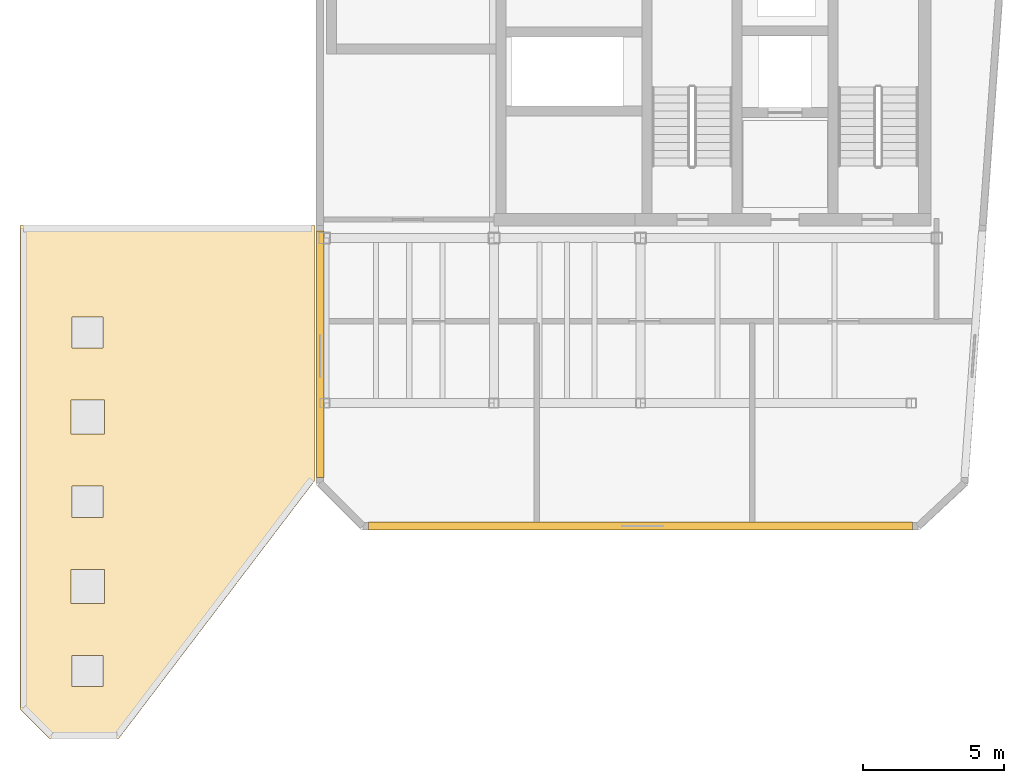
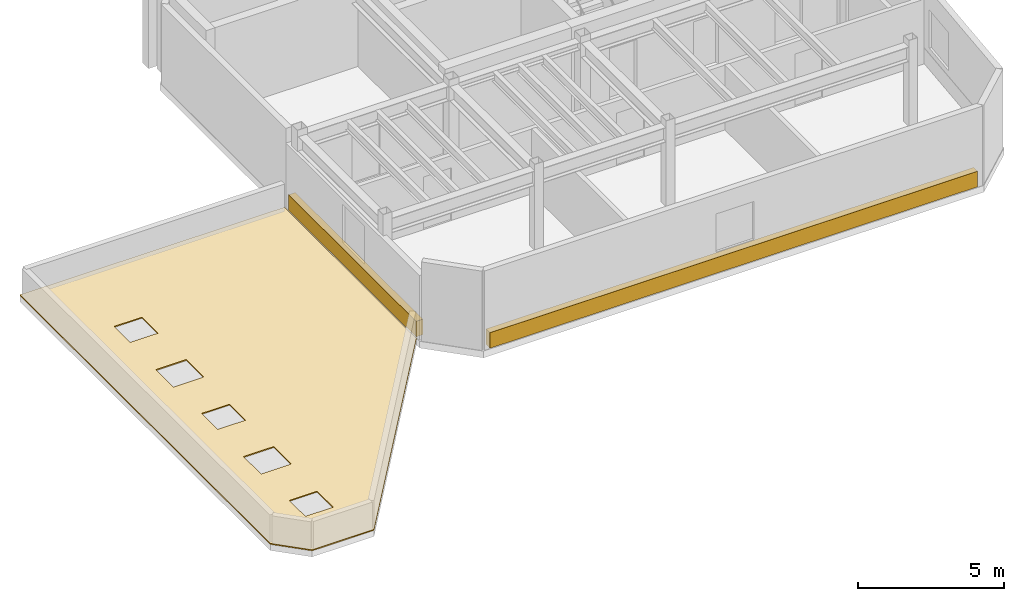
# One storey, part 3 of 4: 3 coverings.
"""IFC4 building model written with IfcOpenShell, lengths in metres."""

from ifc_helpers import new_model, si_unit, direction, frame, origin, origin_2d, place, context, subcontext, project, spatial, polyline, rectangle, outline, extrude, material, layer, layer_set, type_object, element, save


model = new_model("IFC4")

# Units and contexts
model_context = context("Model", 3, precision=1e-05, world=origin(), true_north=direction((0.0, 1.0)))
body_context = subcontext(model_context, "Body", "Model", "MODEL_VIEW")
ifc_project = project(units=[si_unit("LENGTHUNIT", "METRE"), si_unit("AREAUNIT", "SQUARE_METRE"), si_unit("VOLUMEUNIT", "CUBIC_METRE"), si_unit("PLANEANGLEUNIT", "RADIAN"), si_unit("MASSUNIT", "GRAM", prefix="KILO")], contexts=[model_context])

# Site, building, storey
site_placement = place(None, origin())
site = spatial("IfcSite", under=ifc_project, at=site_placement, CompositionType="ELEMENT")
building_placement = place(site_placement, origin())
building = spatial("IfcBuilding", under=site, at=building_placement, Name="Kravanh Interchange Tower", CompositionType="ELEMENT")
storey_placement = place(building_placement, frame((0.0, 0.0, 315.60009765625)))
storey = spatial("IfcBuildingStorey", under=building, at=storey_placement, Name="L78", CompositionType="ELEMENT", Elevation=315.60009765625)

# Coverings
ifc_material_1 = material(Name="Anodised Champagne Bronze Aluminium", Category="aluminium")
ifc_layer_1 = layer(ifc_material_1, 0.02490234375)
ifc_layer_set_1 = layer_set([ifc_layer_1], Name="Anodised Bronze Spandrel Fascia Cladding 25mm")
covering_type_1 = type_object("IfcCoveringType", Name="Anodised Bronze Spandrel Fascia Cladding 25mm", PredefinedType="CLADDING", material=ifc_layer_set_1)
covering_1_placement = place(storey_placement, frame((44.639892578125, 33.22900390625, 0.02490234375), z_axis=(0.0, 0.0, 1.0), x_axis=(0.0, 1.0, 0.0)))
element("IfcCovering", 1, at=covering_1_placement, inside=storey, type_object=covering_type_1, Name="L78 Bronze Fascia Cladding 1", PredefinedType="CLADDING", context=body_context, shape_type="SweptSolid", body=[
    extrude(rectangle(XDim=8.741943359375, YDim=0.27001953125, at=origin_2d()), origin(), (0.0, 0.0, 1.0), 0.64990234375),
])
covering_2_placement = place(storey_placement, frame((56.00146484375, 27.139892578125, 0.02490234375), z_axis=(0.0, 0.0, 1.0), x_axis=(-1.0, 0.0, 0.0)))
element("IfcCovering", 2, at=covering_2_placement, inside=storey, type_object=covering_type_1, Name="L78 Bronze Fascia Cladding 9", PredefinedType="CLADDING", context=body_context, shape_type="SweptSolid", body=[
    extrude(rectangle(XDim=19.287109375, YDim=0.27001953125, at=origin_2d()), origin(), (0.0, 0.0, 1.0), 0.64990234375),
])
ifc_material_2 = material(Name="SBS Modified Bitumen and XPS Insulation")
ifc_layer_2 = layer(ifc_material_2, 0.044921875)
ifc_layer_set_2 = layer_set([ifc_layer_2], Name="Insulated Waterproof Roofing Membrane 45mm")
covering_type_2 = type_object("IfcCoveringType", Name="Insulated Waterproof Roofing Membrane 45mm", PredefinedType="ROOFING", material=ifc_layer_set_2)
covering_3_placement = place(storey_placement, origin())
element("IfcCovering", 3, at=covering_3_placement, inside=storey, type_object=covering_type_2, Name="L78 Stepped Roof Waterproof Membrane 1", PredefinedType="ROOFING", context=body_context, shape_type="SweptSolid", body=[
    extrude(outline(polyline([(35.050048828125, 19.60009765625), (34.0, 20.64990234375), (34.0, 37.800048828125), (44.4599609375, 37.800048828125), (44.4599609375, 28.7578125), (37.5, 19.60009765625), (35.050048828125, 19.60009765625)]), holes=[polyline([(35.85009765625, 21.449951171875), (36.949951171875, 21.449951171875), (36.949951171875, 22.550048828125), (35.85009765625, 22.550048828125), (35.85009765625, 21.449951171875)]), polyline([(35.800048828125, 24.39990234375), (37.0, 24.39990234375), (37.0, 25.60009765625), (35.800048828125, 25.60009765625), (35.800048828125, 24.39990234375)]), polyline([(35.85009765625, 27.449951171875), (36.949951171875, 27.449951171875), (36.949951171875, 28.550048828125), (35.85009765625, 28.550048828125), (35.85009765625, 27.449951171875)]), polyline([(35.800048828125, 30.39990234375), (37.0, 30.39990234375), (37.0, 31.60009765625), (35.800048828125, 31.60009765625), (35.800048828125, 30.39990234375)]), polyline([(35.85009765625, 33.449951171875), (36.949951171875, 33.449951171875), (36.949951171875, 34.550048828125), (35.85009765625, 34.550048828125), (35.85009765625, 33.449951171875)])]), origin(), (0.0, 0.0, 1.0), 0.044921875),
])

save(model, "model.ifc")
